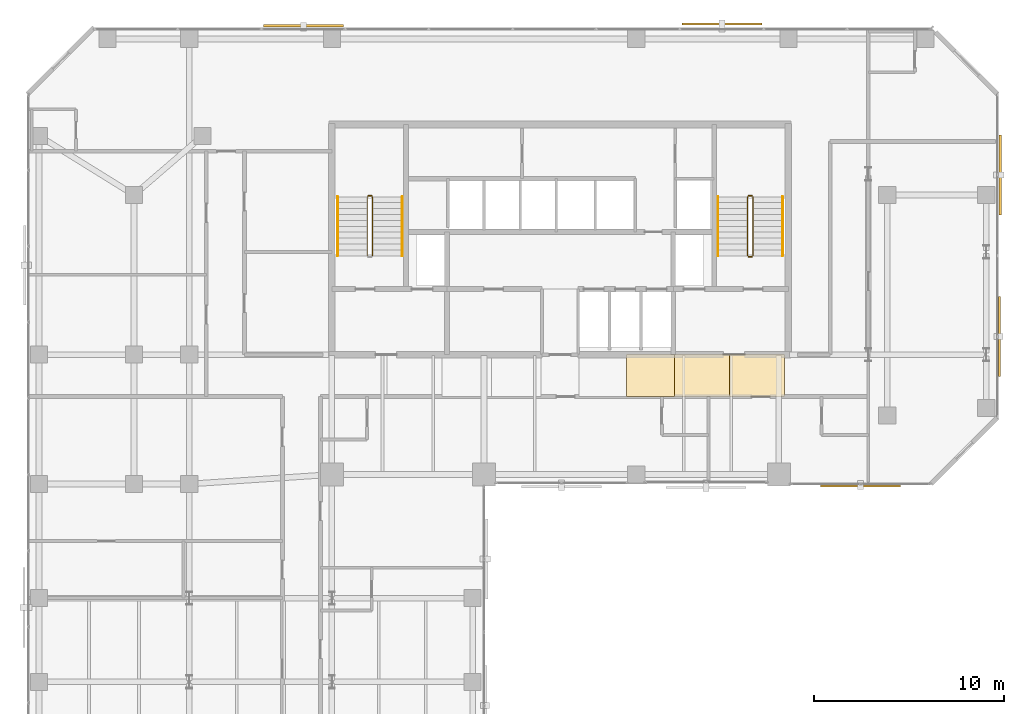
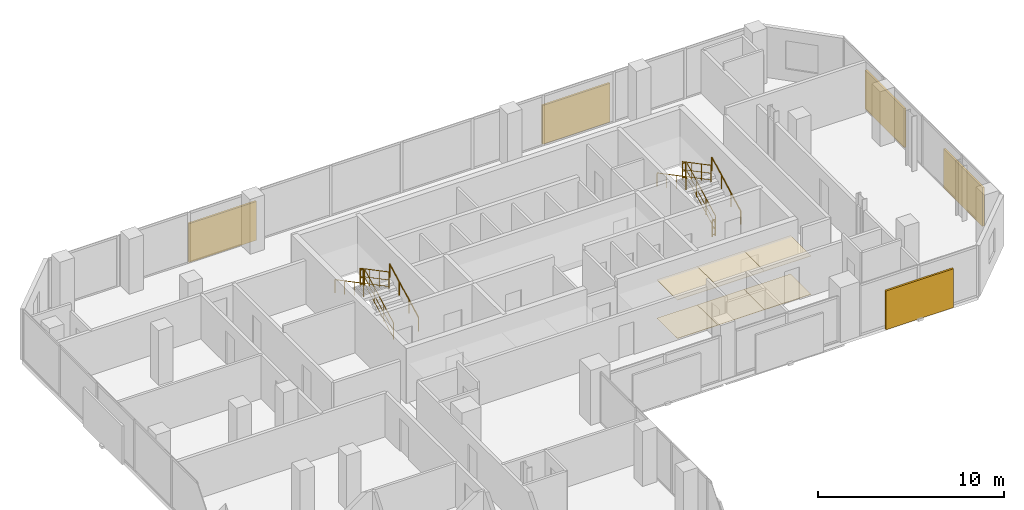
# One storey, part 33 of 33: 11 railings, 6 coverings, 5 shading devices.
"""IFC4 building model written with IfcOpenShell, lengths in metres."""

from ifc_helpers import new_model, si_unit, direction, frame, origin, origin_2d, place, context, subcontext, project, spatial, polyline, rectangle, circle, outline, extrude, material, layer, layer_set, type_object, element, save


model = new_model("IFC4")

# Units and contexts
model_context = context("Model", 3, precision=1e-05, world=origin(), true_north=direction((0.0, 1.0)))
body_context = subcontext(model_context, "Body", "Model", "MODEL_VIEW")
ifc_project = project(units=[si_unit("LENGTHUNIT", "METRE"), si_unit("AREAUNIT", "SQUARE_METRE"), si_unit("VOLUMEUNIT", "CUBIC_METRE"), si_unit("PLANEANGLEUNIT", "RADIAN"), si_unit("MASSUNIT", "GRAM", prefix="KILO")], contexts=[model_context])

# Site, building, storey
site_placement = place(None, origin())
site = spatial("IfcSite", under=ifc_project, at=site_placement, CompositionType="ELEMENT")
building_placement = place(site_placement, origin())
building = spatial("IfcBuilding", under=site, at=building_placement, Name="Catumbela Crestline Tower", CompositionType="ELEMENT")
storey_placement = place(building_placement, frame((0.0, 0.0, 100.8)))
storey = spatial("IfcBuildingStorey", under=building, at=storey_placement, Name="L25", CompositionType="ELEMENT", Elevation=100.8)

# Coverings
ifc_material_1 = material(Name="Mineral-fibre acoustic ceiling")
ifc_layer_1 = layer(ifc_material_1, 0.03, Name="Mineral-fibre acoustic ceiling")
ifc_layer_set_1 = layer_set([ifc_layer_1], Name="Mineral-fibre acoustic ceiling")
covering_type_1 = type_object("IfcCoveringType", Name="CC-AC", PredefinedType="CEILING", material=ifc_layer_set_1)
covering_1_placement = place(storey_placement, frame((0.0, 0.0, 2.52)))
element("IfcCovering", 1, at=covering_1_placement, inside=storey, type_object=covering_type_1, Name="L25 Corridor Acoustic Ceiling Bay 6", PredefinedType="CEILING", context=body_context, shape_type="SweptSolid", body=[
    extrude(outline(polyline([(31.5, 28.6), (34.0, 28.6), (34.0, 30.8), (31.5, 30.8), (31.5, 28.6)])), origin(), (0.0, 0.0, 1.0), 0.03),
])
covering_2_placement = place(storey_placement, frame((0.0, 0.0, 2.52)))
element("IfcCovering", 2, at=covering_2_placement, inside=storey, type_object=covering_type_1, Name="L25 Corridor Acoustic Ceiling Bay 7", PredefinedType="CEILING", context=body_context, shape_type="SweptSolid", body=[
    extrude(outline(polyline([(34.0, 28.6), (36.9, 28.6), (36.9, 30.8), (34.0, 30.8), (34.0, 28.6)])), origin(), (0.0, 0.0, 1.0), 0.03),
])
covering_3_placement = place(storey_placement, frame((0.0, 0.0, 2.52)))
element("IfcCovering", 3, at=covering_3_placement, inside=storey, type_object=covering_type_1, Name="L25 Corridor Acoustic Ceiling Bay 8", PredefinedType="CEILING", context=body_context, shape_type="SweptSolid", body=[
    extrude(outline(polyline([(36.9, 28.6), (39.8, 28.6), (39.8, 30.8), (36.9, 30.8), (36.9, 28.6)])), origin(), (0.0, 0.0, 1.0), 0.03),
])
ifc_material_2 = material(Name="Angolan grey-ochre granite", Category="masonry")
ifc_layer_2 = layer(ifc_material_2, 0.025, Name="Angolan grey-ochre granite")
ifc_layer_set_2 = layer_set([ifc_layer_2], Name="Angolan grey-ochre granite")
covering_type_2 = type_object("IfcCoveringType", Name="CF-GR", PredefinedType="FLOORING", material=ifc_layer_set_2)
covering_4_placement = place(storey_placement, origin())
element("IfcCovering", 4, at=covering_4_placement, inside=storey, type_object=covering_type_2, Name="L25 Corridor Granite Flooring Bay 6", PredefinedType="FLOORING", context=body_context, shape_type="SweptSolid", body=[
    extrude(outline(polyline([(31.5, 28.6), (34.0, 28.6), (34.0, 30.8), (31.5, 30.8), (31.5, 28.6)])), origin(), (0.0, 0.0, 1.0), 0.025),
])
covering_5_placement = place(storey_placement, origin())
element("IfcCovering", 5, at=covering_5_placement, inside=storey, type_object=covering_type_2, Name="L25 Corridor Granite Flooring Bay 7", PredefinedType="FLOORING", context=body_context, shape_type="SweptSolid", body=[
    extrude(outline(polyline([(34.0, 28.6), (36.9, 28.6), (36.9, 30.8), (34.0, 30.8), (34.0, 28.6)])), origin(), (0.0, 0.0, 1.0), 0.025),
])
covering_6_placement = place(storey_placement, origin())
element("IfcCovering", 6, at=covering_6_placement, inside=storey, type_object=covering_type_2, Name="L25 Corridor Granite Flooring Bay 8", PredefinedType="FLOORING", context=body_context, shape_type="SweptSolid", body=[
    extrude(outline(polyline([(36.9, 28.6), (39.8, 28.6), (39.8, 30.8), (36.9, 30.8), (36.9, 28.6)])), origin(), (0.0, 0.0, 1.0), 0.025),
])

# Railings
ifc_material_3 = material(Name="Stainless steel EN 1.4401", Category="steel")
railing_type_1 = type_object("IfcRailingType", Name="RG-1100", PredefinedType="GUARDRAIL", material=ifc_material_3)
railing_1_placement = place(storey_placement, frame((18.14, 36.0, 0.1636)))
element("IfcRailing", 7, at=railing_1_placement, inside=storey, type_object=railing_type_1, Name="L25 ST-01 stair guard 1", PredefinedType="GUARDRAIL", context=body_context, shape_type="SweptSolid", body=[
    extrude(circle(Radius=0.024, at=origin_2d()), frame((0.0, 0.0, 1.076), z_axis=(0.0, 0.884350731049, 0.466823076222), x_axis=(-1.0, 0.0, 0.0)), (0.0, 0.0, 1.0), 3.5054),
    extrude(circle(Radius=0.0156, at=origin_2d()), frame((0.0, 0.0, 0.55), z_axis=(0.0, 0.884350731049, 0.466823076222), x_axis=(-1.0, 0.0, 0.0)), (0.0, 0.0, 1.0), 3.5054),
    extrude(circle(Radius=0.0156, at=origin_2d()), frame((0.0, 0.0, 0.12), z_axis=(0.0, 0.884350731049, 0.466823076222), x_axis=(-1.0, 0.0, 0.0)), (0.0, 0.0, 1.0), 3.5054),
    extrude(circle(Radius=0.021, at=origin_2d()), origin(), (0.0, 0.0, 1.0), 1.052),
    extrude(circle(Radius=0.021, at=origin_2d()), frame((0.0, 1.0333, 0.5455)), (0.0, 0.0, 1.0), 1.052),
    extrude(circle(Radius=0.021, at=origin_2d()), frame((0.0, 2.0667, 1.0909)), (0.0, 0.0, 1.0), 1.052),
    extrude(circle(Radius=0.021, at=origin_2d()), frame((0.0, 3.1, 1.6364)), (0.0, 0.0, 1.0), 1.052),
])
railing_2_placement = place(storey_placement, frame((18.09, 39.15, 1.8)))
element("IfcRailing", 8, at=railing_2_placement, inside=storey, type_object=railing_type_1, Name="L25 ST-01 stair guard 2", PredefinedType="GUARDRAIL", context=body_context, shape_type="SweptSolid", body=[
    extrude(circle(Radius=0.024, at=origin_2d()), frame((0.0, 0.0, 1.076), z_axis=(-1.0, 0.0, 0.0), x_axis=(0.0, -1.0, 0.0)), (0.0, 0.0, 1.0), 0.18),
    extrude(circle(Radius=0.0156, at=origin_2d()), frame((0.0, 0.0, 0.55), z_axis=(-1.0, 0.0, 0.0), x_axis=(0.0, -1.0, 0.0)), (0.0, 0.0, 1.0), 0.18),
    extrude(circle(Radius=0.0156, at=origin_2d()), frame((0.0, 0.0, 0.12), z_axis=(-1.0, 0.0, 0.0), x_axis=(0.0, -1.0, 0.0)), (0.0, 0.0, 1.0), 0.18),
    extrude(circle(Radius=0.021, at=origin_2d()), origin(), (0.0, 0.0, 1.0), 1.052),
    extrude(circle(Radius=0.021, at=origin_2d()), frame((-0.18, 0.0, 0.0)), (0.0, 0.0, 1.0), 1.052),
])
railing_3_placement = place(storey_placement, frame((17.86, 39.1, 1.9636)))
element("IfcRailing", 9, at=railing_3_placement, inside=storey, type_object=railing_type_1, Name="L25 ST-01 stair guard 3", PredefinedType="GUARDRAIL", context=body_context, shape_type="SweptSolid", body=[
    extrude(circle(Radius=0.024, at=origin_2d()), frame((0.0, 0.0, 1.076), z_axis=(0.0, -0.884350731049, 0.466823076222), x_axis=(1.0, 0.0, 0.0)), (0.0, 0.0, 1.0), 3.5054),
    extrude(circle(Radius=0.0156, at=origin_2d()), frame((0.0, 0.0, 0.55), z_axis=(0.0, -0.884350731049, 0.466823076222), x_axis=(1.0, 0.0, 0.0)), (0.0, 0.0, 1.0), 3.5054),
    extrude(circle(Radius=0.0156, at=origin_2d()), frame((0.0, 0.0, 0.12), z_axis=(0.0, -0.884350731049, 0.466823076222), x_axis=(1.0, 0.0, 0.0)), (0.0, 0.0, 1.0), 3.5054),
    extrude(circle(Radius=0.021, at=origin_2d()), origin(), (0.0, 0.0, 1.0), 1.052),
    extrude(circle(Radius=0.021, at=origin_2d()), frame((0.0, -1.0333, 0.5455)), (0.0, 0.0, 1.0), 1.052),
    extrude(circle(Radius=0.021, at=origin_2d()), frame((0.0, -2.0667, 1.0909)), (0.0, 0.0, 1.0), 1.052),
    extrude(circle(Radius=0.021, at=origin_2d()), frame((0.0, -3.1, 1.6364)), (0.0, 0.0, 1.0), 1.052),
])
railing_4_placement = place(storey_placement, frame((38.14, 36.0, 0.1636)))
element("IfcRailing", 10, at=railing_4_placement, inside=storey, type_object=railing_type_1, Name="L25 ST-02 stair guard 1", PredefinedType="GUARDRAIL", context=body_context, shape_type="SweptSolid", body=[
    extrude(circle(Radius=0.024, at=origin_2d()), frame((0.0, 0.0, 1.076), z_axis=(0.0, 0.884350731049, 0.466823076222), x_axis=(-1.0, 0.0, 0.0)), (0.0, 0.0, 1.0), 3.5054),
    extrude(circle(Radius=0.0156, at=origin_2d()), frame((0.0, 0.0, 0.55), z_axis=(0.0, 0.884350731049, 0.466823076222), x_axis=(-1.0, 0.0, 0.0)), (0.0, 0.0, 1.0), 3.5054),
    extrude(circle(Radius=0.0156, at=origin_2d()), frame((0.0, 0.0, 0.12), z_axis=(0.0, 0.884350731049, 0.466823076222), x_axis=(-1.0, 0.0, 0.0)), (0.0, 0.0, 1.0), 3.5054),
    extrude(circle(Radius=0.021, at=origin_2d()), origin(), (0.0, 0.0, 1.0), 1.052),
    extrude(circle(Radius=0.021, at=origin_2d()), frame((0.0, 1.0333, 0.5455)), (0.0, 0.0, 1.0), 1.052),
    extrude(circle(Radius=0.021, at=origin_2d()), frame((0.0, 2.0667, 1.0909)), (0.0, 0.0, 1.0), 1.052),
    extrude(circle(Radius=0.021, at=origin_2d()), frame((0.0, 3.1, 1.6364)), (0.0, 0.0, 1.0), 1.052),
])
railing_5_placement = place(storey_placement, frame((38.09, 39.15, 1.8)))
element("IfcRailing", 11, at=railing_5_placement, inside=storey, type_object=railing_type_1, Name="L25 ST-02 stair guard 2", PredefinedType="GUARDRAIL", context=body_context, shape_type="SweptSolid", body=[
    extrude(circle(Radius=0.024, at=origin_2d()), frame((0.0, 0.0, 1.076), z_axis=(-1.0, 0.0, 0.0), x_axis=(0.0, -1.0, 0.0)), (0.0, 0.0, 1.0), 0.18),
    extrude(circle(Radius=0.0156, at=origin_2d()), frame((0.0, 0.0, 0.55), z_axis=(-1.0, 0.0, 0.0), x_axis=(0.0, -1.0, 0.0)), (0.0, 0.0, 1.0), 0.18),
    extrude(circle(Radius=0.0156, at=origin_2d()), frame((0.0, 0.0, 0.12), z_axis=(-1.0, 0.0, 0.0), x_axis=(0.0, -1.0, 0.0)), (0.0, 0.0, 1.0), 0.18),
    extrude(circle(Radius=0.021, at=origin_2d()), origin(), (0.0, 0.0, 1.0), 1.052),
    extrude(circle(Radius=0.021, at=origin_2d()), frame((-0.18, 0.0, 0.0)), (0.0, 0.0, 1.0), 1.052),
])
railing_6_placement = place(storey_placement, frame((37.86, 39.1, 1.9636)))
element("IfcRailing", 12, at=railing_6_placement, inside=storey, type_object=railing_type_1, Name="L25 ST-02 stair guard 3", PredefinedType="GUARDRAIL", context=body_context, shape_type="SweptSolid", body=[
    extrude(circle(Radius=0.024, at=origin_2d()), frame((0.0, 0.0, 1.076), z_axis=(0.0, -0.884350731049, 0.466823076222), x_axis=(1.0, 0.0, 0.0)), (0.0, 0.0, 1.0), 3.5054),
    extrude(circle(Radius=0.0156, at=origin_2d()), frame((0.0, 0.0, 0.55), z_axis=(0.0, -0.884350731049, 0.466823076222), x_axis=(1.0, 0.0, 0.0)), (0.0, 0.0, 1.0), 3.5054),
    extrude(circle(Radius=0.0156, at=origin_2d()), frame((0.0, 0.0, 0.12), z_axis=(0.0, -0.884350731049, 0.466823076222), x_axis=(1.0, 0.0, 0.0)), (0.0, 0.0, 1.0), 3.5054),
    extrude(circle(Radius=0.021, at=origin_2d()), origin(), (0.0, 0.0, 1.0), 1.052),
    extrude(circle(Radius=0.021, at=origin_2d()), frame((0.0, -1.0333, 0.5455)), (0.0, 0.0, 1.0), 1.052),
    extrude(circle(Radius=0.021, at=origin_2d()), frame((0.0, -2.0667, 1.0909)), (0.0, 0.0, 1.0), 1.052),
    extrude(circle(Radius=0.021, at=origin_2d()), frame((0.0, -3.1, 1.6364)), (0.0, 0.0, 1.0), 1.052),
])
railing_7_placement = place(storey_placement, frame((38.09, 35.95, 0.0)))
element("IfcRailing", 13, at=railing_7_placement, inside=storey, type_object=railing_type_1, Name="L25 ST-02 stair guard 4", PredefinedType="GUARDRAIL", context=body_context, shape_type="SweptSolid", body=[
    extrude(circle(Radius=0.024, at=origin_2d()), frame((0.0, 0.0, 1.076), z_axis=(-1.0, 0.0, 0.0), x_axis=(0.0, -1.0, 0.0)), (0.0, 0.0, 1.0), 0.18),
    extrude(circle(Radius=0.0156, at=origin_2d()), frame((0.0, 0.0, 0.55), z_axis=(-1.0, 0.0, 0.0), x_axis=(0.0, -1.0, 0.0)), (0.0, 0.0, 1.0), 0.18),
    extrude(circle(Radius=0.0156, at=origin_2d()), frame((0.0, 0.0, 0.12), z_axis=(-1.0, 0.0, 0.0), x_axis=(0.0, -1.0, 0.0)), (0.0, 0.0, 1.0), 0.18),
    extrude(circle(Radius=0.021, at=origin_2d()), origin(), (0.0, 0.0, 1.0), 1.052),
    extrude(circle(Radius=0.021, at=origin_2d()), frame((-0.18, 0.0, 0.0)), (0.0, 0.0, 1.0), 1.052),
])
railing_type_2 = type_object("IfcRailingType", Name="RH-0900", PredefinedType="HANDRAIL", material=ifc_material_3)
railing_8_placement = place(storey_placement, frame((19.7, 36.0, 0.1636)))
element("IfcRailing", 14, at=railing_8_placement, inside=storey, type_object=railing_type_2, Name="L25 ST-01 stair handrail 1", PredefinedType="HANDRAIL", context=body_context, shape_type="SweptSolid", body=[
    extrude(circle(Radius=0.024, at=origin_2d()), frame((0.0, 0.0, 0.876), z_axis=(0.0, 0.884350731049, 0.466823076222), x_axis=(-1.0, 0.0, 0.0)), (0.0, 0.0, 1.0), 3.5054),
    extrude(circle(Radius=0.021, at=origin_2d()), origin(), (0.0, 0.0, 1.0), 0.852),
    extrude(circle(Radius=0.021, at=origin_2d()), frame((0.0, 1.0333, 0.5455)), (0.0, 0.0, 1.0), 0.852),
    extrude(circle(Radius=0.021, at=origin_2d()), frame((0.0, 2.0667, 1.0909)), (0.0, 0.0, 1.0), 0.852),
    extrude(circle(Radius=0.021, at=origin_2d()), frame((0.0, 3.1, 1.6364)), (0.0, 0.0, 1.0), 0.852),
])
railing_9_placement = place(storey_placement, frame((16.3, 39.1, 1.9636)))
element("IfcRailing", 15, at=railing_9_placement, inside=storey, type_object=railing_type_2, Name="L25 ST-01 stair handrail 2", PredefinedType="HANDRAIL", context=body_context, shape_type="SweptSolid", body=[
    extrude(circle(Radius=0.024, at=origin_2d()), frame((0.0, 0.0, 0.876), z_axis=(0.0, -0.884350731049, 0.466823076222), x_axis=(1.0, 0.0, 0.0)), (0.0, 0.0, 1.0), 3.5054),
    extrude(circle(Radius=0.021, at=origin_2d()), origin(), (0.0, 0.0, 1.0), 0.852),
    extrude(circle(Radius=0.021, at=origin_2d()), frame((0.0, -1.0333, 0.5455)), (0.0, 0.0, 1.0), 0.852),
    extrude(circle(Radius=0.021, at=origin_2d()), frame((0.0, -2.0667, 1.0909)), (0.0, 0.0, 1.0), 0.852),
    extrude(circle(Radius=0.021, at=origin_2d()), frame((0.0, -3.1, 1.6364)), (0.0, 0.0, 1.0), 0.852),
])
railing_10_placement = place(storey_placement, frame((39.7, 36.0, 0.1636)))
element("IfcRailing", 16, at=railing_10_placement, inside=storey, type_object=railing_type_2, Name="L25 ST-02 stair handrail 1", PredefinedType="HANDRAIL", context=body_context, shape_type="SweptSolid", body=[
    extrude(circle(Radius=0.024, at=origin_2d()), frame((0.0, 0.0, 0.876), z_axis=(0.0, 0.884350731049, 0.466823076222), x_axis=(-1.0, 0.0, 0.0)), (0.0, 0.0, 1.0), 3.5054),
    extrude(circle(Radius=0.021, at=origin_2d()), origin(), (0.0, 0.0, 1.0), 0.852),
    extrude(circle(Radius=0.021, at=origin_2d()), frame((0.0, 1.0333, 0.5455)), (0.0, 0.0, 1.0), 0.852),
    extrude(circle(Radius=0.021, at=origin_2d()), frame((0.0, 2.0667, 1.0909)), (0.0, 0.0, 1.0), 0.852),
    extrude(circle(Radius=0.021, at=origin_2d()), frame((0.0, 3.1, 1.6364)), (0.0, 0.0, 1.0), 0.852),
])
railing_11_placement = place(storey_placement, frame((36.3, 39.1, 1.9636)))
element("IfcRailing", 17, at=railing_11_placement, inside=storey, type_object=railing_type_2, Name="L25 ST-02 stair handrail 2", PredefinedType="HANDRAIL", context=body_context, shape_type="SweptSolid", body=[
    extrude(circle(Radius=0.024, at=origin_2d()), frame((0.0, 0.0, 0.876), z_axis=(0.0, -0.884350731049, 0.466823076222), x_axis=(1.0, 0.0, 0.0)), (0.0, 0.0, 1.0), 3.5054),
    extrude(circle(Radius=0.021, at=origin_2d()), origin(), (0.0, 0.0, 1.0), 0.852),
    extrude(circle(Radius=0.021, at=origin_2d()), frame((0.0, -1.0333, 0.5455)), (0.0, 0.0, 1.0), 0.852),
    extrude(circle(Radius=0.021, at=origin_2d()), frame((0.0, -2.0667, 1.0909)), (0.0, 0.0, 1.0), 0.852),
    extrude(circle(Radius=0.021, at=origin_2d()), frame((0.0, -3.1, 1.6364)), (0.0, 0.0, 1.0), 0.852),
])

# Shading devices
ifc_material_4 = material(Name="Extruded terracotta ceramic", Category="masonry")
shading_device_type_1 = type_object("IfcShadingDeviceType", Name="ST-180", PredefinedType="USERDEFINED", material=ifc_material_4)
for number, where, z_axis, x_axis, name in (
    (18, (43.8, 23.901, -0.1), (0.0, 0.0, 1.0), (1.0, 0.0, 0.0), "L25 Perforated Terracotta Solar Screen 256 (180 mm)"),
    (19, (51.099, 31.75, -0.1), (0.0, 0.0, 1.0), (0.0, 1.0, 0.0), "L25 Perforated Terracotta Solar Screen 257 (180 mm)"),
    (20, (14.5, 48.099, -0.1), (0.0, 0.0, 1.0), (-1.0, 0.0, 0.0), "L25 Perforated Terracotta Solar Screen 260 (180 mm)"),
):
    element("IfcShadingDevice", number, at=place(storey_placement, frame(where, z_axis=z_axis, x_axis=x_axis)), inside=storey, type_object=shading_device_type_1, Name=name, ObjectType="SCREEN", PredefinedType="USERDEFINED", context=body_context, shape_type="SweptSolid", body=[
        extrude(rectangle(XDim=4.2, YDim=0.12, at=origin_2d()), origin(), (0.0, 0.0, 1.0), 2.55),
    ])
shading_device_type_2 = type_object("IfcShadingDeviceType", Name="ST-260", PredefinedType="USERDEFINED", material=ifc_material_4)
shading_device_1_placement = place(storey_placement, frame((51.143, 40.25, -0.1), z_axis=(0.0, 0.0, 1.0), x_axis=(0.0, 1.0, 0.0)))
element("IfcShadingDevice", 21, at=shading_device_1_placement, inside=storey, type_object=shading_device_type_2, Name="L25 Perforated Terracotta Solar Screen 258 (260 mm)", ObjectType="SCREEN", PredefinedType="USERDEFINED", context=body_context, shape_type="SweptSolid", body=[
    extrude(rectangle(XDim=4.2, YDim=0.12, at=origin_2d()), origin(), (0.0, 0.0, 1.0), 2.55),
])
shading_device_type_3 = type_object("IfcShadingDeviceType", Name="ST-340", PredefinedType="USERDEFINED", material=ifc_material_4)
shading_device_2_placement = place(storey_placement, frame((36.5, 48.187, -0.1), z_axis=(0.0, 0.0, 1.0), x_axis=(-1.0, 0.0, 0.0)))
element("IfcShadingDevice", 22, at=shading_device_2_placement, inside=storey, type_object=shading_device_type_3, Name="L25 Perforated Terracotta Solar Screen 259 (340 mm)", ObjectType="SCREEN", PredefinedType="USERDEFINED", context=body_context, shape_type="SweptSolid", body=[
    extrude(rectangle(XDim=4.2, YDim=0.12, at=origin_2d()), origin(), (0.0, 0.0, 1.0), 2.55),
])

save(model, "model.ifc")
